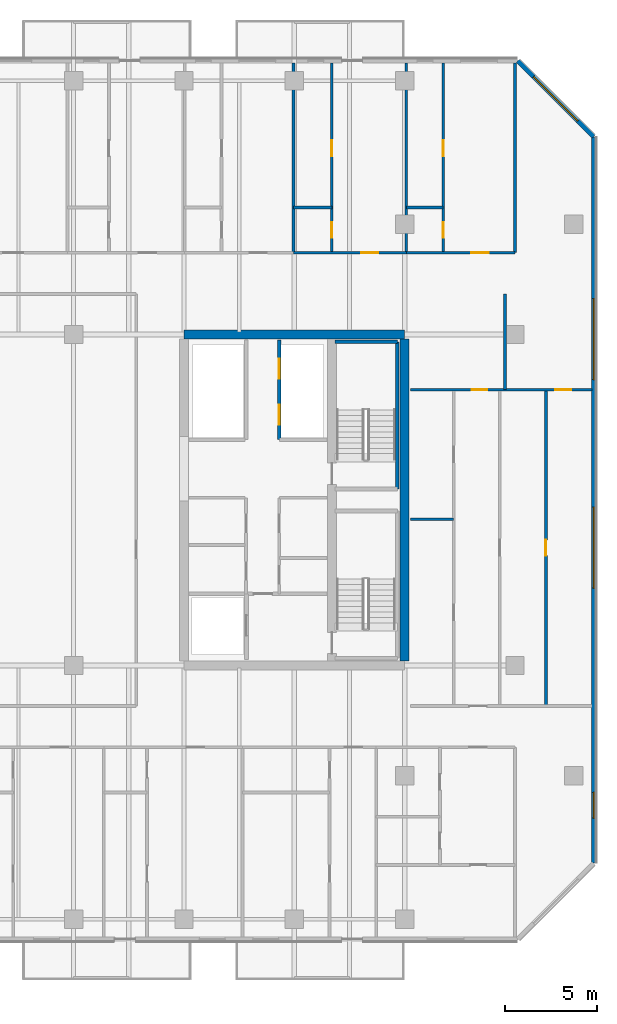
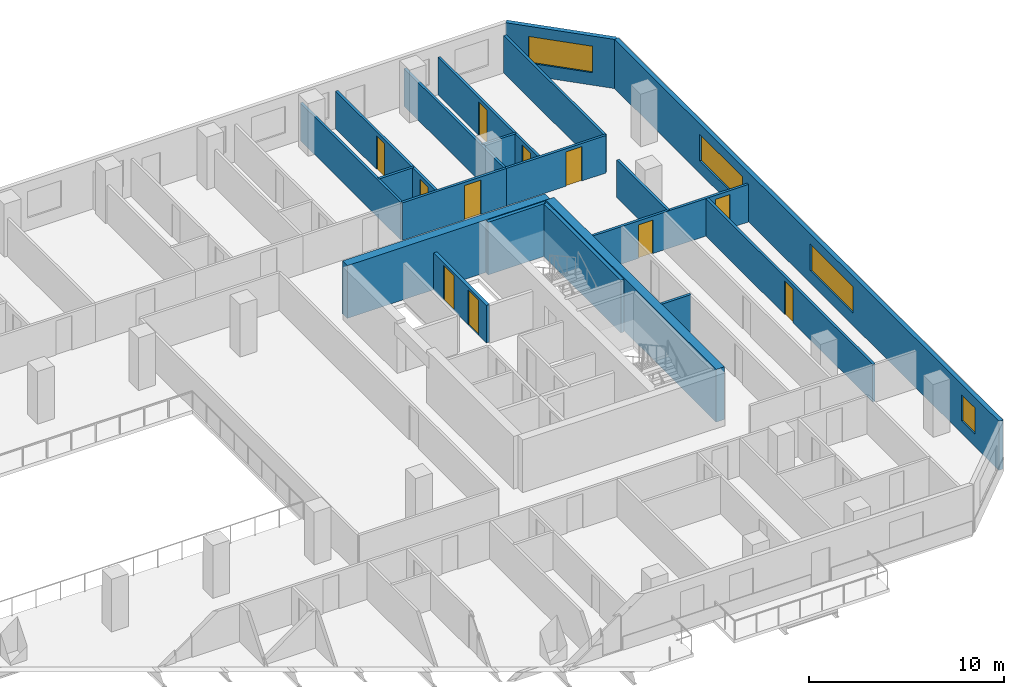
# One storey, part 16 of 23: 20 walls, 11 doors, 4 windows, 15 openings.
"""IFC4 building model written with IfcOpenShell, lengths in metres."""

from ifc_helpers import new_model, si_unit, direction, frame, frame_2d, origin, place, context, subcontext, project, spatial, rectangle, extrude, material, layer, layer_set, type_object, element, fill, save


model = new_model("IFC4")

# Units and contexts
model_context = context("Model", 3, precision=1e-05, world=origin(), true_north=direction((0.0, 1.0)))
body_context = subcontext(model_context, "Body", "Model", "MODEL_VIEW")
ifc_project = project(units=[si_unit("LENGTHUNIT", "METRE"), si_unit("AREAUNIT", "SQUARE_METRE"), si_unit("VOLUMEUNIT", "CUBIC_METRE"), si_unit("PLANEANGLEUNIT", "RADIAN"), si_unit("MASSUNIT", "GRAM", prefix="KILO")], contexts=[model_context])

# Site, building, storey
site_placement = place(None, origin())
site = spatial("IfcSite", under=ifc_project, at=site_placement, CompositionType="ELEMENT")
building_placement = place(site_placement, origin())
building = spatial("IfcBuilding", under=site, at=building_placement, Name="Tanjung Sevakor Pilgrim Tower", CompositionType="ELEMENT")
storey_placement = place(building_placement, frame((0.0, 0.0, 98.669921875)))
storey = spatial("IfcBuildingStorey", under=building, at=storey_placement, Name="L27", CompositionType="ELEMENT", Elevation=98.669921875)

# Walls
ifc_material_1 = material(Name="Concrete C60/75", Category="concrete")
ifc_layer_1 = layer(ifc_material_1, 0.5)
ifc_layer_set_1 = layer_set([ifc_layer_1], Name="WALL-CW-500")
wall_type_1 = type_object("IfcWallType", Name="WALL-CW-500", PredefinedType="SHEAR", material=ifc_layer_set_1)
wall_1_placement = place(storey_placement, frame((90.0, 42.60009765625, 0.0), z_axis=(0.0, 0.0, 1.0), x_axis=(-1.0, 0.0, 0.0)))
element("IfcWall", 1, at=wall_1_placement, inside=storey, type_object=wall_type_1, Name="L27 E Core North Shear Wall", PredefinedType="SHEAR", context=body_context, shape_type="SweptSolid", body=[
    extrude(rectangle(XDim=12.0, YDim=0.5, at=frame_2d((6.0, 0.0))), origin(), (0.0, 0.0, 1.0), 3.300048828125),
])
wall_2_placement = place(storey_placement, frame((90.0, 24.85009765625, 0.0), z_axis=(0.0, 0.0, 1.0), x_axis=(0.0, 1.0, 0.0)))
element("IfcWall", 2, at=wall_2_placement, inside=storey, type_object=wall_type_1, Name="L27 E Core Outer Shear Wall", PredefinedType="SHEAR", context=body_context, shape_type="SweptSolid", body=[
    extrude(rectangle(XDim=17.5, YDim=0.5, at=frame_2d((8.75, 0.0))), origin(), (0.0, 0.0, 1.0), 3.300048828125),
])
ifc_material_2 = material(Name="Concrete C40/50", Category="concrete")
ifc_layer_2 = layer(ifc_material_2, 0.14990234375)
ifc_layer_set_2 = layer_set([ifc_layer_2], Name="WT-COMP-150")
wall_type_2 = type_object("IfcWallType", Name="WT-COMP-150", PredefinedType="SOLIDWALL", material=ifc_layer_set_2)
for number, where, z_axis, x_axis, name in (
    (3, (96.0, 47.050048828125, 0.0), (0.0, 0.0, 1.0), (0.0, 1.0, 0.0), "L27 Partition IW-L27-092"),
    (4, (83.9501953125, 47.050048828125, 0.0), (0.0, 0.0, 1.0), (0.0, 1.0, 0.0), "L27 Partition IW-L27-105"),
    (5, (90.0888671875, 47.050048828125, 0.0), (0.0, 0.0, 1.0), (0.0, 1.0, 0.0), "L27 Partition IW-L27-109"),
):
    element("IfcWall", number, at=place(storey_placement, frame(where, z_axis=z_axis, x_axis=x_axis)), inside=storey, type_object=wall_type_2, Name=name, PredefinedType="SOLIDWALL", context=body_context, shape_type="SweptSolid", body=[
        extrude(rectangle(XDim=10.300048828125, YDim=0.14990234375, at=frame_2d((5.14990234375, 0.0))), origin(), (0.0, 0.0, 1.0), 2.35009765625),
    ])

# Wall, opening, door
wall_3_placement = place(storey_placement, frame((83.9501953125, 47.050048828125, 0.0), z_axis=(0.0, 0.0, 1.0), x_axis=(1.0, 0.0, 0.0)))
wall_3 = element("IfcWall", 6, at=wall_3_placement, inside=storey, type_object=wall_type_2, Name="L27 Partition IW-L27-112", PredefinedType="SOLIDWALL", context=body_context, shape_type="SweptSolid", body=[
    extrude(rectangle(XDim=6.138671875, YDim=0.14990234375, at=frame_2d((3.0693359375, 0.0))), origin(), (0.0, 0.0, 1.0), 2.35009765625),
])
opening_1_placement = place(wall_3_placement, frame((3.677978515625, 0.0, 0.0)))
opening_1 = element("IfcOpeningElement", 7, at=opening_1_placement, cuts=wall_3, Name="Opening ID-FD2", PredefinedType="OPENING", context=body_context, shape_type="SweptSolid", body=[
    extrude(rectangle(XDim=0.949951171875, YDim=2.14990234375, at=frame_2d((0.47509765625, 1.074951171875))), frame((0.0, 0.0849609375, 0.0), z_axis=(0.0, -1.0, 0.0), x_axis=(1.0, 0.0, 0.0)), (0.0, 0.0, 1.0), 0.169921875),
])
ifc_material_3 = material(Name="Fire-Rated Timber", Category="wood")
door_type_1 = type_object("IfcDoorType", Name="DT-FIRE-950", OperationType="NOTDEFINED", PredefinedType="DOOR", material=ifc_material_3)
door_1_placement = place(opening_1_placement, origin())
door_1 = element("IfcDoor", 8, at=door_1_placement, inside=storey, type_object=door_type_1, Name="Hostel Quad Entrance", OperationType="SINGLE_SWING_RIGHT", OverallHeight=2.14990234375, OverallWidth=0.949951171875, PredefinedType="DOOR", context=body_context, shape_type="SweptSolid", body=[
    extrude(rectangle(XDim=0.949951171875, YDim=2.14990234375, at=frame_2d((0.47509765625, 1.074951171875))), frame((0.0, 0.02490234375, 0.0), z_axis=(0.0, -1.0, 0.0), x_axis=(1.0, 0.0, 0.0)), (0.0, 0.0, 1.0), 0.050048828125),
])
fill(opening_1, door_1)

wall_4_placement = place(storey_placement, frame((90.0888671875, 47.050048828125, 0.0), z_axis=(0.0, 0.0, 1.0), x_axis=(1.0, 0.0, 0.0)))
wall_4 = element("IfcWall", 9, at=wall_4_placement, inside=storey, type_object=wall_type_2, Name="L27 Partition IW-L27-115", PredefinedType="SOLIDWALL", context=body_context, shape_type="SweptSolid", body=[
    extrude(rectangle(XDim=5.9111328125, YDim=0.14990234375, at=frame_2d((2.95556640625, 0.0))), origin(), (0.0, 0.0, 1.0), 2.35009765625),
])
opening_2_placement = place(wall_4_placement, frame((3.525390625, 0.0, 0.0)))
opening_2 = element("IfcOpeningElement", 10, at=opening_2_placement, cuts=wall_4, Name="Opening ID-FD2", PredefinedType="OPENING", context=body_context, shape_type="SweptSolid", body=[
    extrude(rectangle(XDim=0.949951171875, YDim=2.14990234375, at=frame_2d((0.47509765625, 1.074951171875))), frame((0.0, 0.0849609375, 0.0), z_axis=(0.0, -1.0, 0.0), x_axis=(1.0, 0.0, 0.0)), (0.0, 0.0, 1.0), 0.169921875),
])
door_2_placement = place(opening_2_placement, origin())
door_2 = element("IfcDoor", 11, at=door_2_placement, inside=storey, type_object=door_type_1, Name="Hostel Quad Entrance", OperationType="SINGLE_SWING_LEFT", OverallHeight=2.14990234375, OverallWidth=0.949951171875, PredefinedType="DOOR", context=body_context, shape_type="SweptSolid", body=[
    extrude(rectangle(XDim=0.949951171875, YDim=2.14990234375, at=frame_2d((0.47509765625, 1.074951171875))), frame((0.0, 0.02490234375, 0.0), z_axis=(0.0, -1.0, 0.0), x_axis=(1.0, 0.0, 0.0)), (0.0, 0.0, 1.0), 0.050048828125),
])
fill(opening_2, door_2)

# Wall, openings, windows
ifc_material_4 = material(Name="Precast concrete C45/55", Category="concrete")
ifc_layer_3 = layer(ifc_material_4, 0.25)
ifc_layer_set_3 = layer_set([ifc_layer_3], Name="WT-EW-STN3")
wall_type_3 = type_object("IfcWallType", Name="WT-EW-STN3", PredefinedType="SOLIDWALL", material=ifc_layer_set_3)
wall_5_placement = place(storey_placement, frame((100.27490234375, 13.851806640625, 0.0), z_axis=(0.0, 0.0, 1.0), x_axis=(0.0, 1.0, 0.0)))
wall_5 = element("IfcWall", 12, at=wall_5_placement, inside=storey, type_object=wall_type_3, Name="L27 MAIN Exterior Wall 7", PredefinedType="SOLIDWALL", context=body_context, shape_type="SweptSolid", body=[
    extrude(rectangle(XDim=39.496337890625, YDim=0.25, at=frame_2d((19.748046875, 0.0))), origin(), (0.0, 0.0, 1.0), 3.080078125),
])
opening_3_placement = place(wall_5_placement, frame((14.958251953125, 0.0, 0.780029296875)))
opening_3 = element("IfcOpeningElement", 13, at=opening_3_placement, cuts=wall_5, Name="Opening WN-ENDW-1660", PredefinedType="OPENING", context=body_context, shape_type="SweptSolid", body=[
    extrude(rectangle(XDim=4.39990234375, YDim=1.659912109375, at=frame_2d((2.199951171875, 0.830078125))), frame((0.0, 0.135009765625, 0.0), z_axis=(0.0, -1.0, 0.0), x_axis=(1.0, 0.0, 0.0)), (0.0, 0.0, 1.0), 0.27001953125),
])
opening_4_placement = place(wall_5_placement, frame((26.298095703125, 0.0, 0.780029296875)))
opening_4 = element("IfcOpeningElement", 14, at=opening_4_placement, cuts=wall_5, Name="Opening WN-ENDW-1660", PredefinedType="OPENING", context=body_context, shape_type="SweptSolid", body=[
    extrude(rectangle(XDim=4.39990234375, YDim=1.659912109375, at=frame_2d((2.199951171875, 0.830078125))), frame((0.0, 0.135009765625, 0.0), z_axis=(0.0, -1.0, 0.0), x_axis=(1.0, 0.0, 0.0)), (0.0, 0.0, 1.0), 0.27001953125),
])
opening_5_placement = place(wall_5_placement, frame((2.4541015625, 0.0, 0.780029296875)))
opening_5 = element("IfcOpeningElement", 15, at=opening_5_placement, cuts=wall_5, Name="Opening WN-END", PredefinedType="OPENING", context=body_context, shape_type="SweptSolid", body=[
    extrude(rectangle(XDim=1.39990234375, YDim=1.64990234375, at=frame_2d((0.699951171875, 0.824951171875))), frame((0.0, 0.135009765625, 0.0), z_axis=(0.0, -1.0, 0.0), x_axis=(1.0, 0.0, 0.0)), (0.0, 0.0, 1.0), 0.27001953125),
])
ifc_material_5 = material(Name="Thermally Broken Aluminium and Low-E Glass", Category="aluminium")
window_type_1 = type_object("IfcWindowType", Name="WTYP-WN-END", PartitioningType="SINGLE_PANEL", PredefinedType="WINDOW", material=ifc_material_5)
window_1_placement = place(opening_5_placement, origin())
window_1 = element("IfcWindow", 16, at=window_1_placement, inside=storey, type_object=window_type_1, Name="L27 Facade Window 03", OverallHeight=1.64990234375, OverallWidth=1.39990234375, PartitioningType="SINGLE_PANEL", PredefinedType="WINDOW", context=body_context, shape_type="SweptSolid", body=[
    extrude(rectangle(XDim=1.39990234375, YDim=1.64990234375, at=frame_2d((0.699951171875, 0.824951171875))), frame((0.0, 0.030029296875, 0.0), z_axis=(0.0, -1.0, 0.0), x_axis=(1.0, 0.0, 0.0)), (0.0, 0.0, 1.0), 0.06005859375),
])
fill(opening_5, window_1)
ifc_material_6 = material(Name="Thermally Broken Aluminium and Low-E Glass", Category="aluminium")
window_type_2 = type_object("IfcWindowType", Name="WTYP-WN-ENDW-1660", PartitioningType="DOUBLE_PANEL_VERTICAL", PredefinedType="WINDOW", material=ifc_material_6)
window_2_placement = place(opening_3_placement, origin())
window_2 = element("IfcWindow", 17, at=window_2_placement, inside=storey, type_object=window_type_2, Name="L27 Facade Window 01", OverallHeight=1.659912109375, OverallWidth=4.39990234375, PartitioningType="SINGLE_PANEL", PredefinedType="WINDOW", context=body_context, shape_type="SweptSolid", body=[
    extrude(rectangle(XDim=4.39990234375, YDim=1.659912109375, at=frame_2d((2.199951171875, 0.830078125))), frame((0.0, 0.030029296875, 0.0), z_axis=(0.0, -1.0, 0.0), x_axis=(1.0, 0.0, 0.0)), (0.0, 0.0, 1.0), 0.06005859375),
])
fill(opening_3, window_2)
window_3_placement = place(opening_4_placement, origin())
window_3 = element("IfcWindow", 18, at=window_3_placement, inside=storey, type_object=window_type_2, Name="L27 Facade Window 02", OverallHeight=1.659912109375, OverallWidth=4.39990234375, PartitioningType="SINGLE_PANEL", PredefinedType="WINDOW", context=body_context, shape_type="SweptSolid", body=[
    extrude(rectangle(XDim=4.39990234375, YDim=1.659912109375, at=frame_2d((2.199951171875, 0.830078125))), frame((0.0, 0.030029296875, 0.0), z_axis=(0.0, -1.0, 0.0), x_axis=(1.0, 0.0, 0.0)), (0.0, 0.0, 1.0), 0.06005859375),
])
fill(opening_4, window_3)

# Wall, opening, window
wall_6_placement = place(storey_placement, frame((100.27490234375, 53.34814453125, 0.0), z_axis=(0.0, 0.0, 1.0), x_axis=(-0.70708586489, 0.707127696864, 0.0)))
wall_6 = element("IfcWall", 19, at=wall_6_placement, inside=storey, type_object=wall_type_3, Name="L27 MAIN Sculpted Corner Wall 7", PredefinedType="SOLIDWALL", context=body_context, shape_type="SweptSolid", body=[
    extrude(rectangle(XDim=5.836181640625, YDim=0.25, at=frame_2d((2.91796875, 0.0))), origin(), (0.0, 0.0, 1.0), 3.080078125),
])
opening_6_placement = place(wall_6_placement, frame((1.218017578125, 0.0, 0.780029296875)))
opening_6 = element("IfcOpeningElement", 20, at=opening_6_placement, cuts=wall_6, Name="Opening WN-CHM-1660", PredefinedType="OPENING", context=body_context, shape_type="SweptSolid", body=[
    extrude(rectangle(XDim=3.39990234375, YDim=1.659912109375, at=frame_2d((1.699951171875, 0.830078125))), frame((0.0, 0.135009765625, 0.0), z_axis=(0.0, -1.0, 0.0), x_axis=(1.0, 0.0, 0.0)), (0.0, 0.0, 1.0), 0.27001953125),
])
ifc_material_7 = material(Name="Thermally Broken Aluminium and Low-E Glass", Category="aluminium")
window_type_3 = type_object("IfcWindowType", Name="WTYP-WN-CHM-1660", PartitioningType="DOUBLE_PANEL_VERTICAL", PredefinedType="WINDOW", material=ifc_material_7)
window_4_placement = place(opening_6_placement, origin())
window_4 = element("IfcWindow", 21, at=window_4_placement, inside=storey, type_object=window_type_3, Name="L27 Facade Window 01", OverallHeight=1.659912109375, OverallWidth=3.39990234375, PartitioningType="SINGLE_PANEL", PredefinedType="WINDOW", context=body_context, shape_type="SweptSolid", body=[
    extrude(rectangle(XDim=3.39990234375, YDim=1.659912109375, at=frame_2d((1.699951171875, 0.830078125))), frame((0.0, 0.030029296875, 0.0), z_axis=(0.0, -1.0, 0.0), x_axis=(1.0, 0.0, 0.0)), (0.0, 0.0, 1.0), 0.06005859375),
])
fill(opening_6, window_4)

# Walls
ifc_material_8 = material(Name="Concrete C40/50", Category="concrete")
ifc_layer_4 = layer(ifc_material_8, 0.199951171875)
ifc_layer_set_4 = layer_set([ifc_layer_4], Name="WT-FIRE-200")
wall_type_4 = type_object("IfcWallType", Name="WT-FIRE-200", PredefinedType="SOLIDWALL", material=ifc_layer_set_4)
wall_7_placement = place(storey_placement, frame((89.60009765625, 34.199951171875, 0.0), z_axis=(0.0, 0.0, 1.0), x_axis=(0.0, 1.0, 0.0)))
element("IfcWall", 22, at=wall_7_placement, inside=storey, type_object=wall_type_4, Name="L27 TS-E2 Shaft Wall 2", PredefinedType="SOLIDWALL", context=body_context, shape_type="SweptSolid", body=[
    extrude(rectangle(XDim=8.0, YDim=0.199951171875, at=frame_2d((4.0, 0.0))), origin(), (0.0, 0.0, 1.0), 3.300048828125),
])
wall_8_placement = place(storey_placement, frame((89.60009765625, 42.199951171875, 0.0), z_axis=(0.0, 0.0, 1.0), x_axis=(-1.0, 0.0, 0.0)))
element("IfcWall", 23, at=wall_8_placement, inside=storey, type_object=wall_type_4, Name="L27 TS-E2 Shaft Wall 3", PredefinedType="SOLIDWALL", context=body_context, shape_type="SweptSolid", body=[
    extrude(rectangle(XDim=3.400146484375, YDim=0.199951171875, at=frame_2d((1.7001953125, 0.0))), origin(), (0.0, 0.0, 1.0), 3.300048828125),
])

# Wall, openings, doors
ifc_material_9 = material(Name="Concrete C40/50", Category="concrete")
ifc_layer_5 = layer(ifc_material_9, 0.199951171875)
ifc_layer_set_5 = layer_set([ifc_layer_5], Name="WT-FPRT-200")
wall_type_5 = type_object("IfcWallType", Name="WT-FPRT-200", PredefinedType="SOLIDWALL", material=ifc_layer_set_5)
wall_9_placement = place(storey_placement, frame((83.179931640625, 36.8798828125, 0.0), z_axis=(0.0, 0.0, 1.0), x_axis=(0.0, 1.0, 0.0)))
wall_9 = element("IfcWall", 24, at=wall_9_placement, inside=storey, type_object=wall_type_5, Name="L27 Partition IW-L27-022", PredefinedType="SOLIDWALL", context=body_context, shape_type="SweptSolid", body=[
    extrude(rectangle(XDim=5.420166015625, YDim=0.199951171875, at=frame_2d((2.7099609375, 0.0))), origin(), (0.0, 0.0, 1.0), 2.35009765625),
])
opening_7_placement = place(wall_9_placement, frame((0.800048828125, 0.0, 0.0)))
opening_7 = element("IfcOpeningElement", 25, at=opening_7_placement, cuts=wall_9, Name="Opening LD-1100", PredefinedType="OPENING", context=body_context, shape_type="SweptSolid", body=[
    extrude(rectangle(XDim=1.10009765625, YDim=2.199951171875, at=frame_2d((0.550048828125, 1.10009765625))), frame((0.0, 0.10986328125, 0.0), z_axis=(0.0, -1.0, 0.0), x_axis=(1.0, 0.0, 0.0)), (0.0, 0.0, 1.0), 0.219970703125),
])
opening_8_placement = place(wall_9_placement, frame((3.300048828125, 0.0, 0.0)))
opening_8 = element("IfcOpeningElement", 26, at=opening_8_placement, cuts=wall_9, Name="Opening LD-1100", PredefinedType="OPENING", context=body_context, shape_type="SweptSolid", body=[
    extrude(rectangle(XDim=1.10009765625, YDim=2.199951171875, at=frame_2d((0.550048828125, 1.10009765625))), frame((0.0, 0.10986328125, 0.0), z_axis=(0.0, -1.0, 0.0), x_axis=(1.0, 0.0, 0.0)), (0.0, 0.0, 1.0), 0.219970703125),
])
ifc_material_10 = material(Name="Brushed Stainless Steel S355J2", Category="steel")
door_type_2 = type_object("IfcDoorType", Name="DT-LIFT-1100", OperationType="SLIDING_TO_LEFT", PredefinedType="DOOR", material=ifc_material_10)
door_3_placement = place(opening_7_placement, origin())
door_3 = element("IfcDoor", 27, at=door_3_placement, inside=storey, type_object=door_type_2, Name="LD-PLM1-E", OperationType="SLIDING_TO_LEFT", OverallHeight=2.199951171875, OverallWidth=1.10009765625, PredefinedType="DOOR", context=body_context, shape_type="SweptSolid", body=[
    extrude(rectangle(XDim=1.10009765625, YDim=2.199951171875, at=frame_2d((0.550048828125, 1.10009765625))), frame((0.0, 0.02490234375, 0.0), z_axis=(0.0, -1.0, 0.0), x_axis=(1.0, 0.0, 0.0)), (0.0, 0.0, 1.0), 0.050048828125),
])
fill(opening_7, door_3)
door_4_placement = place(opening_8_placement, origin())
door_4 = element("IfcDoor", 28, at=door_4_placement, inside=storey, type_object=door_type_2, Name="LD-PLM2-E", OperationType="SLIDING_TO_RIGHT", OverallHeight=2.199951171875, OverallWidth=1.10009765625, PredefinedType="DOOR", context=body_context, shape_type="SweptSolid", body=[
    extrude(rectangle(XDim=1.10009765625, YDim=2.199951171875, at=frame_2d((0.550048828125, 1.10009765625))), frame((0.0, 0.02490234375, 0.0), z_axis=(0.0, -1.0, 0.0), x_axis=(1.0, 0.0, 0.0)), (0.0, 0.0, 1.0), 0.050048828125),
])
fill(opening_8, door_4)

# Wall, opening, door
ifc_material_11 = material(Name="Gypsum Board Partition", Category="gypsum board")
ifc_layer_6 = layer(ifc_material_11, 0.14990234375)
ifc_layer_set_6 = layer_set([ifc_layer_6], Name="WT-PART-150")
wall_type_6 = type_object("IfcWallType", Name="WT-PART-150", PredefinedType="PARTITIONING", material=ifc_layer_set_6)
wall_10_placement = place(storey_placement, frame((97.683349609375, 22.39990234375, 0.0), z_axis=(0.0, 0.0, 1.0), x_axis=(0.0, 1.0, 0.0)))
wall_10 = element("IfcWall", 29, at=wall_10_placement, inside=storey, type_object=wall_type_6, Name="L27 Partition IW-L27-035", PredefinedType="PARTITIONING", context=body_context, shape_type="SweptSolid", body=[
    extrude(rectangle(XDim=17.2001953125, YDim=0.14990234375, at=frame_2d((8.60009765625, 0.0))), origin(), (0.0, 0.0, 1.0), 2.35009765625),
])
opening_9_placement = place(wall_10_placement, frame((8.175048828125, 0.0, 0.0)))
opening_9 = element("IfcOpeningElement", 30, at=opening_9_placement, cuts=wall_10, Name="Opening ID-WC1", PredefinedType="OPENING", context=body_context, shape_type="SweptSolid", body=[
    extrude(rectangle(XDim=0.85009765625, YDim=2.10009765625, at=frame_2d((0.425048828125, 1.050048828125))), frame((0.0, 0.0849609375, 0.0), z_axis=(0.0, -1.0, 0.0), x_axis=(1.0, 0.0, 0.0)), (0.0, 0.0, 1.0), 0.169921875),
])
ifc_material_12 = material(Name="Moisture-Resistant Timber", Category="wood")
door_type_3 = type_object("IfcDoorType", Name="DT-INT-850", OperationType="NOTDEFINED", PredefinedType="DOOR", material=ifc_material_12)
door_5_placement = place(opening_9_placement, origin())
door_5 = element("IfcDoor", 31, at=door_5_placement, inside=storey, type_object=door_type_3, Name="Suite Reading Room Door", OperationType="SINGLE_SWING_LEFT", OverallHeight=2.10009765625, OverallWidth=0.85009765625, PredefinedType="DOOR", context=body_context, shape_type="SweptSolid", body=[
    extrude(rectangle(XDim=0.85009765625, YDim=2.10009765625, at=frame_2d((0.425048828125, 1.050048828125))), frame((0.0, 0.02490234375, 0.0), z_axis=(0.0, -1.0, 0.0), x_axis=(1.0, 0.0, 0.0)), (0.0, 0.0, 1.0), 0.050048828125),
])
fill(opening_9, door_5)

# Walls
wall_11_placement = place(storey_placement, frame((90.320068359375, 32.548095703125, 0.0), z_axis=(0.0, 0.0, 1.0), x_axis=(1.0, 0.0, 0.0)))
element("IfcWall", 32, at=wall_11_placement, inside=storey, type_object=wall_type_6, Name="L27 Partition IW-L27-036", PredefinedType="PARTITIONING", context=body_context, shape_type="SweptSolid", body=[
    extrude(rectangle(XDim=2.349853515625, YDim=0.14990234375, at=frame_2d((1.1748046875, 0.0))), origin(), (0.0, 0.0, 1.0), 2.35009765625),
])
wall_12_placement = place(storey_placement, frame((95.452392578125, 39.60009765625, 0.0), z_axis=(0.0, 0.0, 1.0), x_axis=(0.0, 1.0, 0.0)))
element("IfcWall", 33, at=wall_12_placement, inside=storey, type_object=wall_type_6, Name="L27 Partition IW-L27-038", PredefinedType="PARTITIONING", context=body_context, shape_type="SweptSolid", body=[
    extrude(rectangle(XDim=5.199951171875, YDim=0.14990234375, at=frame_2d((2.60009765625, 0.0))), origin(), (0.0, 0.0, 1.0), 2.35009765625),
])

# Wall, openings, doors
wall_13_placement = place(storey_placement, frame((90.320068359375, 39.60009765625, 0.0), z_axis=(0.0, 0.0, 1.0), x_axis=(1.0, 0.0, 0.0)))
wall_13 = element("IfcWall", 34, at=wall_13_placement, inside=storey, type_object=wall_type_6, Name="L27 Partition IW-L27-039", PredefinedType="PARTITIONING", context=body_context, shape_type="SweptSolid", body=[
    extrude(rectangle(XDim=9.869873046875, YDim=0.14990234375, at=frame_2d((4.93505859375, 0.0))), origin(), (0.0, 0.0, 1.0), 2.35009765625),
])
opening_10_placement = place(wall_13_placement, frame((3.316162109375, 0.0, 0.0)))
opening_10 = element("IfcOpeningElement", 35, at=opening_10_placement, cuts=wall_13, Name="Opening ID-WC1", PredefinedType="OPENING", context=body_context, shape_type="SweptSolid", body=[
    extrude(rectangle(XDim=0.85009765625, YDim=2.10009765625, at=frame_2d((0.425048828125, 1.050048828125))), frame((0.0, 0.0849609375, 0.0), z_axis=(0.0, -1.0, 0.0), x_axis=(1.0, 0.0, 0.0)), (0.0, 0.0, 1.0), 0.169921875),
])
opening_11_placement = place(wall_13_placement, frame((7.876220703125, 0.0, 0.0)))
opening_11 = element("IfcOpeningElement", 36, at=opening_11_placement, cuts=wall_13, Name="Opening ID-WC1", PredefinedType="OPENING", context=body_context, shape_type="SweptSolid", body=[
    extrude(rectangle(XDim=0.85009765625, YDim=2.10009765625, at=frame_2d((0.425048828125, 1.050048828125))), frame((0.0, 0.0849609375, 0.0), z_axis=(0.0, -1.0, 0.0), x_axis=(1.0, 0.0, 0.0)), (0.0, 0.0, 1.0), 0.169921875),
])
door_6_placement = place(opening_10_placement, origin())
door_6 = element("IfcDoor", 37, at=door_6_placement, inside=storey, type_object=door_type_3, Name="Suite Bedroom 1 Door", OperationType="SINGLE_SWING_RIGHT", OverallHeight=2.10009765625, OverallWidth=0.85009765625, PredefinedType="DOOR", context=body_context, shape_type="SweptSolid", body=[
    extrude(rectangle(XDim=0.85009765625, YDim=2.10009765625, at=frame_2d((0.425048828125, 1.050048828125))), frame((0.0, 0.02490234375, 0.0), z_axis=(0.0, -1.0, 0.0), x_axis=(1.0, 0.0, 0.0)), (0.0, 0.0, 1.0), 0.050048828125),
])
fill(opening_10, door_6)
door_7_placement = place(opening_11_placement, origin())
door_7 = element("IfcDoor", 38, at=door_7_placement, inside=storey, type_object=door_type_3, Name="Suite Bedroom 2 Door", OperationType="SINGLE_SWING_LEFT", OverallHeight=2.10009765625, OverallWidth=0.85009765625, PredefinedType="DOOR", context=body_context, shape_type="SweptSolid", body=[
    extrude(rectangle(XDim=0.85009765625, YDim=2.10009765625, at=frame_2d((0.425048828125, 1.050048828125))), frame((0.0, 0.02490234375, 0.0), z_axis=(0.0, -1.0, 0.0), x_axis=(1.0, 0.0, 0.0)), (0.0, 0.0, 1.0), 0.050048828125),
])
fill(opening_11, door_7)

# Wall
wall_14_placement = place(storey_placement, frame((83.9501953125, 49.5, 0.0), z_axis=(0.0, 0.0, 1.0), x_axis=(1.0, 0.0, 0.0)))
element("IfcWall", 39, at=wall_14_placement, inside=storey, type_object=wall_type_6, Name="L27 Partition IW-L27-110", PredefinedType="PARTITIONING", context=body_context, shape_type="SweptSolid", body=[
    extrude(rectangle(XDim=2.087158203125, YDim=0.14990234375, at=frame_2d((1.04345703125, 0.0))), origin(), (0.0, 0.0, 1.0), 2.35009765625),
])

# Wall, openings, doors
wall_15_placement = place(storey_placement, frame((86.037353515625, 47.050048828125, 0.0), z_axis=(0.0, 0.0, 1.0), x_axis=(0.0, 1.0, 0.0)))
wall_15 = element("IfcWall", 40, at=wall_15_placement, inside=storey, type_object=wall_type_6, Name="L27 Partition IW-L27-111", PredefinedType="PARTITIONING", context=body_context, shape_type="SweptSolid", body=[
    extrude(rectangle(XDim=10.300048828125, YDim=0.14990234375, at=frame_2d((5.14990234375, 0.0))), origin(), (0.0, 0.0, 1.0), 2.35009765625),
])
opening_12_placement = place(wall_15_placement, frame((0.800048828125, 0.0, 0.0)))
opening_12 = element("IfcOpeningElement", 41, at=opening_12_placement, cuts=wall_15, Name="Opening ID-WC1", PredefinedType="OPENING", context=body_context, shape_type="SweptSolid", body=[
    extrude(rectangle(XDim=0.85009765625, YDim=2.10009765625, at=frame_2d((0.425048828125, 1.050048828125))), frame((0.0, 0.0849609375, 0.0), z_axis=(0.0, -1.0, 0.0), x_axis=(1.0, 0.0, 0.0)), (0.0, 0.0, 1.0), 0.169921875),
])
opening_13_placement = place(wall_15_placement, frame((5.25, 0.0, 0.0)))
opening_13 = element("IfcOpeningElement", 42, at=opening_13_placement, cuts=wall_15, Name="Opening ID-WC1", PredefinedType="OPENING", context=body_context, shape_type="SweptSolid", body=[
    extrude(rectangle(XDim=0.85009765625, YDim=2.10009765625, at=frame_2d((0.425048828125, 1.050048828125))), frame((0.0, 0.0849609375, 0.0), z_axis=(0.0, -1.0, 0.0), x_axis=(1.0, 0.0, 0.0)), (0.0, 0.0, 1.0), 0.169921875),
])
door_8_placement = place(opening_12_placement, origin())
door_8 = element("IfcDoor", 43, at=door_8_placement, inside=storey, type_object=door_type_3, Name="Bathroom Door", OperationType="SINGLE_SWING_RIGHT", OverallHeight=2.10009765625, OverallWidth=0.85009765625, PredefinedType="DOOR", context=body_context, shape_type="SweptSolid", body=[
    extrude(rectangle(XDim=0.85009765625, YDim=2.10009765625, at=frame_2d((0.425048828125, 1.050048828125))), frame((0.0, 0.02490234375, 0.0), z_axis=(0.0, -1.0, 0.0), x_axis=(1.0, 0.0, 0.0)), (0.0, 0.0, 1.0), 0.050048828125),
])
fill(opening_12, door_8)
door_9_placement = place(opening_13_placement, origin())
door_9 = element("IfcDoor", 44, at=door_9_placement, inside=storey, type_object=door_type_3, Name="Study Nook Door", OperationType="SINGLE_SWING_LEFT", OverallHeight=2.10009765625, OverallWidth=0.85009765625, PredefinedType="DOOR", context=body_context, shape_type="SweptSolid", body=[
    extrude(rectangle(XDim=0.85009765625, YDim=2.10009765625, at=frame_2d((0.425048828125, 1.050048828125))), frame((0.0, 0.02490234375, 0.0), z_axis=(0.0, -1.0, 0.0), x_axis=(1.0, 0.0, 0.0)), (0.0, 0.0, 1.0), 0.050048828125),
])
fill(opening_13, door_9)

# Wall
wall_16_placement = place(storey_placement, frame((90.0888671875, 49.5, 0.0), z_axis=(0.0, 0.0, 1.0), x_axis=(1.0, 0.0, 0.0)))
element("IfcWall", 45, at=wall_16_placement, inside=storey, type_object=wall_type_6, Name="L27 Partition IW-L27-113", PredefinedType="PARTITIONING", context=body_context, shape_type="SweptSolid", body=[
    extrude(rectangle(XDim=2.009765625, YDim=0.14990234375, at=frame_2d((1.0048828125, 0.0))), origin(), (0.0, 0.0, 1.0), 2.35009765625),
])

# Wall, openings, doors
wall_17_placement = place(storey_placement, frame((92.0986328125, 47.050048828125, 0.0), z_axis=(0.0, 0.0, 1.0), x_axis=(0.0, 1.0, 0.0)))
wall_17 = element("IfcWall", 46, at=wall_17_placement, inside=storey, type_object=wall_type_6, Name="L27 Partition IW-L27-114", PredefinedType="PARTITIONING", context=body_context, shape_type="SweptSolid", body=[
    extrude(rectangle(XDim=10.300048828125, YDim=0.14990234375, at=frame_2d((5.14990234375, 0.0))), origin(), (0.0, 0.0, 1.0), 2.35009765625),
])
opening_14_placement = place(wall_17_placement, frame((0.800048828125, 0.0, 0.0)))
opening_14 = element("IfcOpeningElement", 47, at=opening_14_placement, cuts=wall_17, Name="Opening ID-WC1", PredefinedType="OPENING", context=body_context, shape_type="SweptSolid", body=[
    extrude(rectangle(XDim=0.85009765625, YDim=2.10009765625, at=frame_2d((0.425048828125, 1.050048828125))), frame((0.0, 0.0849609375, 0.0), z_axis=(0.0, -1.0, 0.0), x_axis=(1.0, 0.0, 0.0)), (0.0, 0.0, 1.0), 0.169921875),
])
opening_15_placement = place(wall_17_placement, frame((5.25, 0.0, 0.0)))
opening_15 = element("IfcOpeningElement", 48, at=opening_15_placement, cuts=wall_17, Name="Opening ID-WC1", PredefinedType="OPENING", context=body_context, shape_type="SweptSolid", body=[
    extrude(rectangle(XDim=0.85009765625, YDim=2.10009765625, at=frame_2d((0.425048828125, 1.050048828125))), frame((0.0, 0.0849609375, 0.0), z_axis=(0.0, -1.0, 0.0), x_axis=(1.0, 0.0, 0.0)), (0.0, 0.0, 1.0), 0.169921875),
])
door_10_placement = place(opening_14_placement, origin())
door_10 = element("IfcDoor", 49, at=door_10_placement, inside=storey, type_object=door_type_3, Name="Bathroom Door", OperationType="SINGLE_SWING_LEFT", OverallHeight=2.10009765625, OverallWidth=0.85009765625, PredefinedType="DOOR", context=body_context, shape_type="SweptSolid", body=[
    extrude(rectangle(XDim=0.85009765625, YDim=2.10009765625, at=frame_2d((0.425048828125, 1.050048828125))), frame((0.0, 0.02490234375, 0.0), z_axis=(0.0, -1.0, 0.0), x_axis=(1.0, 0.0, 0.0)), (0.0, 0.0, 1.0), 0.050048828125),
])
fill(opening_14, door_10)
door_11_placement = place(opening_15_placement, origin())
door_11 = element("IfcDoor", 50, at=door_11_placement, inside=storey, type_object=door_type_3, Name="Study Nook Door", OperationType="SINGLE_SWING_RIGHT", OverallHeight=2.10009765625, OverallWidth=0.85009765625, PredefinedType="DOOR", context=body_context, shape_type="SweptSolid", body=[
    extrude(rectangle(XDim=0.85009765625, YDim=2.10009765625, at=frame_2d((0.425048828125, 1.050048828125))), frame((0.0, 0.02490234375, 0.0), z_axis=(0.0, -1.0, 0.0), x_axis=(1.0, 0.0, 0.0)), (0.0, 0.0, 1.0), 0.050048828125),
])
fill(opening_15, door_11)

save(model, "model.ifc")
